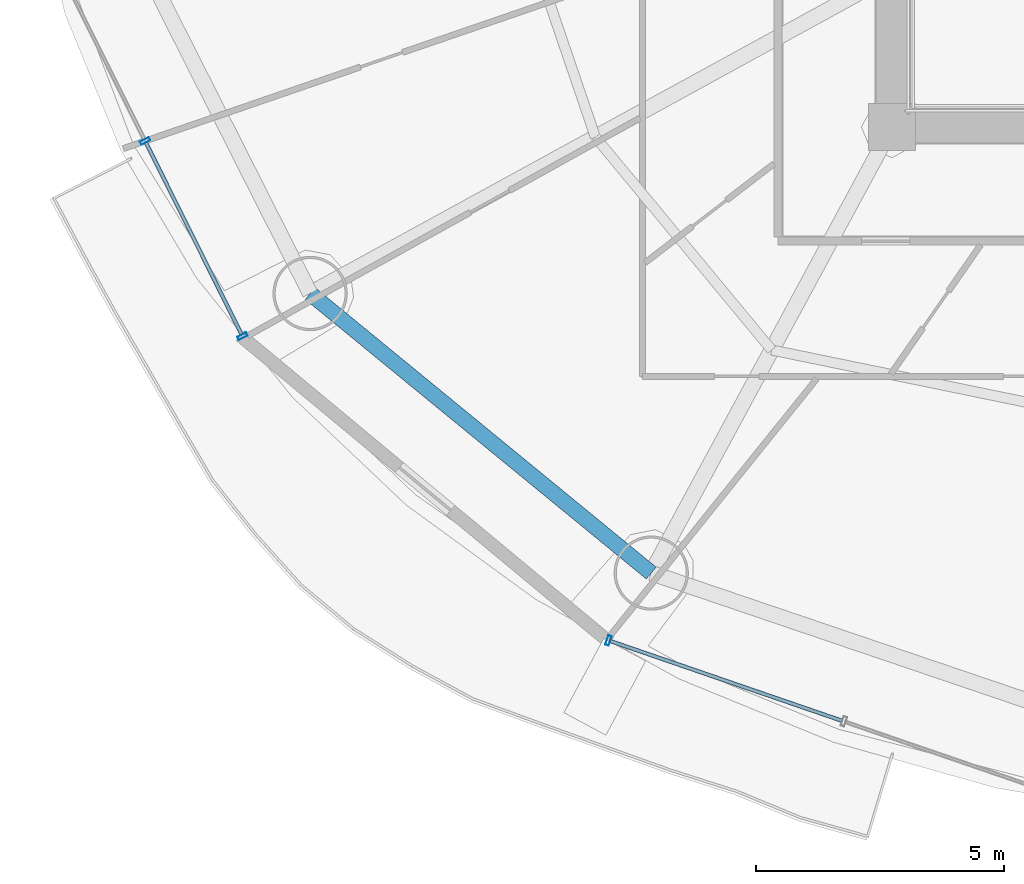
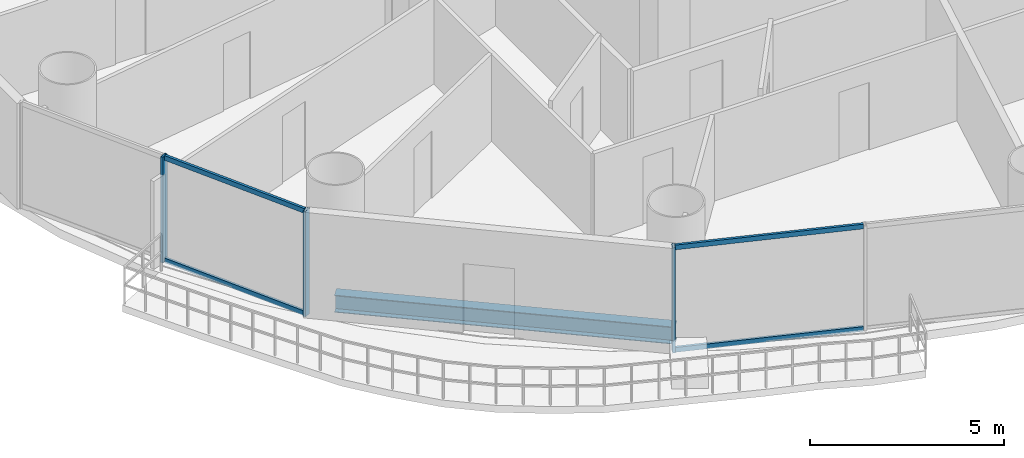
# One storey, part 2 of 29: 7 members, 1 beam, 2 elements without a shape of their own.
"""IFC4 building model written with IfcOpenShell, lengths in metres."""

from ifc_helpers import new_model, si_unit, direction, frame, origin, origin_2d, place, context, subcontext, project, spatial, hollow_rectangle, i_section, extrude, source, transform, mapped, material, material_profile, profile_set, type_object, element, aggregate, save


model = new_model("IFC4")

# Units and contexts
model_context = context("Model", 3, precision=1e-05, world=origin(), true_north=direction((-0.2419218956, 0.970295726276)))
body_context = subcontext(model_context, "Body", "Model", "MODEL_VIEW")
ifc_project = project(units=[si_unit("LENGTHUNIT", "METRE"), si_unit("AREAUNIT", "SQUARE_METRE"), si_unit("VOLUMEUNIT", "CUBIC_METRE"), si_unit("PLANEANGLEUNIT", "RADIAN"), si_unit("MASSUNIT", "GRAM", prefix="KILO")], contexts=[model_context])

# Site, building, storey
site_placement = place(None, origin())
site = spatial("IfcSite", under=ifc_project, at=site_placement, CompositionType="ELEMENT")
building_placement = place(site_placement, origin())
building = spatial("IfcBuilding", under=site, at=building_placement, Name="Cobrevalo Terracotta Tower", CompositionType="ELEMENT")
storey_placement = place(building_placement, frame((0.0, 0.0, 94.199951171875)))
storey = spatial("IfcBuildingStorey", under=building, at=storey_placement, Name="L24", CompositionType="ELEMENT", Elevation=94.199951171875)

# Beam
ifc_material_1 = material(Name="Steel S355", Category="steel")
ifc_material_profile_1 = material_profile(ifc_material_1, i_section(OverallWidth=0.31201171875, OverallDepth=0.54296875, WebThickness=0.0126953125, FlangeThickness=0.020263671875, at=origin_2d()), Name="W 530x150")
ifc_profile_set_1 = profile_set([ifc_material_profile_1], Name="Steel S355")
beam_type = type_object("IfcBeamType", Name="Structural Spandrel W 530x150 (Steel S355)", PredefinedType="SPANDREL", material=ifc_profile_set_1)
beam_placement = place(storey_placement, frame((17.2548828125, 15.4384765625, -0.54638671875), z_axis=(0.773400923541, -0.633917196064, 0.0), x_axis=(0.633917196064, 0.773400923541, 0.0)))
element("IfcBeam", 1, at=beam_placement, inside=storey, type_object=beam_type, Name="L24 perimeter ring spandrel 10", PredefinedType="SPANDREL", context=body_context, shape_type="SweptSolid", body=[
    extrude(i_section(OverallWidth=0.31201171875, OverallDepth=0.54296875, WebThickness=0.0126953125, FlangeThickness=0.020263671875, at=origin_2d()), origin(), (0.0, 0.0, 1.0), 8.900390625),
])

# Curtain wall, members
ifc_material_2 = material(Name="Anodized aluminium", Category="aluminium")
curtain_wall_type = type_object("IfcCurtainWallType", Name="Lower-tower unitised acoustic low-E curtain wall CW-U1", PredefinedType="NOTDEFINED", material=ifc_material_2)
curtain_wall_1_placement = place(storey_placement, origin())
curtain_wall_1 = element("IfcCurtainWall", 2, at=curtain_wall_1_placement, inside=storey, type_object=curtain_wall_type, Name="L24 curtain wall CW-L24-S09", PredefinedType="NOTDEFINED")
ifc_material_profile_2 = material_profile(ifc_material_2, hollow_rectangle(XDim=0.074951171875, YDim=0.199951171875, WallThickness=0.0048828125, at=origin_2d()), Name="CWM 75x200")
ifc_profile_set_2 = profile_set([ifc_material_profile_2], Name="Anodized aluminium")
member_type_1 = type_object("IfcMemberType", Name="Lower/mid tower unitised mullion 75x200", PredefinedType="MULLION", material=ifc_profile_set_2)
shared_shape_1 = source(origin(), body_context, "Body", "SweptSolid", [
    extrude(hollow_rectangle(XDim=0.074951171875, YDim=0.199951171875, WallThickness=0.0048828125, at=origin_2d()), origin(), (0.0, 0.0, 1.0), 3.324951171875),
])
member_1_placement = place(storey_placement, frame((13.924072265625, 18.516357421875, 0.0), z_axis=(0.0, 0.0, 1.0), x_axis=(0.446260290227, -0.894903208937, 0.0)))
member_1 = element("IfcMember", 3, at=member_1_placement, type_object=member_type_1, Name="CW-L24-S09 vertical mullion 02", PredefinedType="MULLION", context=body_context, shape_type="MappedRepresentation", body=[
    mapped(shared_shape_1, transform((0.0, 0.0, 0.0), scale=1.0)),
])
member_2_placement = place(storey_placement, frame((15.889892578125, 14.574462890625, 0.0), z_axis=(0.0, 0.0, 1.0), x_axis=(0.446260290227, -0.894903208937, 0.0)))
member_2 = element("IfcMember", 4, at=member_2_placement, type_object=member_type_1, Name="CW-L24-S09 vertical mullion 03", PredefinedType="MULLION", context=body_context, shape_type="MappedRepresentation", body=[
    mapped(shared_shape_1, transform((0.0, 0.0, 0.0), scale=1.0)),
])

curtain_wall_2_placement = place(storey_placement, origin())
curtain_wall_2 = element("IfcCurtainWall", 5, at=curtain_wall_2_placement, inside=storey, type_object=curtain_wall_type, Name="L24 curtain wall CW-L24-S11", PredefinedType="NOTDEFINED")
member_3_placement = place(storey_placement, frame((23.2763671875, 8.4365234375, 0.0), z_axis=(0.0, 0.0, 1.0), x_axis=(0.94559809868, -0.325337110968, 0.0)))
member_3 = element("IfcMember", 6, at=member_3_placement, type_object=member_type_1, Name="CW-L24-S11 vertical mullion 01", PredefinedType="MULLION", context=body_context, shape_type="MappedRepresentation", body=[
    mapped(shared_shape_1, transform((0.0, 0.0, 0.0), scale=1.0)),
])
ifc_material_profile_3 = material_profile(ifc_material_2, hollow_rectangle(XDim=0.074951171875, YDim=0.14990234375, WallThickness=0.00439453125, at=origin_2d()), Name="CWT 75x150")
ifc_profile_set_3 = profile_set([ifc_material_profile_3], Name="Anodized aluminium")
member_type_2 = type_object("IfcMemberType", Name="Tower unitised aluminium transom 75x150", PredefinedType="USERDEFINED", material=ifc_profile_set_3)
shared_shape_2 = source(origin(), body_context, "Body", "SweptSolid", [
    extrude(hollow_rectangle(XDim=0.074951171875, YDim=0.14990234375, WallThickness=0.00439453125, at=origin_2d()), origin(), (0.0, 0.0, 1.0), 4.944580078125),
])
member_4_placement = place(storey_placement, frame((23.314208984375, 8.42333984375, 0.050048828125), z_axis=(0.945597859971, -0.32533780478, 0.0), x_axis=(0.32533780478, 0.945597859971, 0.0)))
member_4 = element("IfcMember", 7, at=member_4_placement, type_object=member_type_2, Name="CW-L24-S11 transom B01-T1", ObjectType="TRANSOM", PredefinedType="USERDEFINED", context=body_context, shape_type="MappedRepresentation", body=[
    mapped(shared_shape_2, transform((0.0, 0.0, 0.0), scale=1.0)),
])
member_5_placement = place(storey_placement, frame((23.314208984375, 8.42333984375, 3.275146484375), z_axis=(0.945597859971, -0.32533780478, 0.0), x_axis=(0.32533780478, 0.945597859971, 0.0)))
member_5 = element("IfcMember", 8, at=member_5_placement, type_object=member_type_2, Name="CW-L24-S11 transom B01-T2", ObjectType="TRANSOM", PredefinedType="USERDEFINED", context=body_context, shape_type="MappedRepresentation", body=[
    mapped(shared_shape_2, transform((0.0, 0.0, 0.0), scale=1.0)),
])
aggregate(curtain_wall_2, [member_3, member_4, member_5])

# Member
shared_shape_3 = source(origin(), body_context, "Body", "SweptSolid", [
    extrude(hollow_rectangle(XDim=0.074951171875, YDim=0.14990234375, WallThickness=0.00439453125, at=origin_2d()), origin(), (0.0, 0.0, 1.0), 4.324951171875),
])
member_6_placement = place(storey_placement, frame((13.942138671875, 18.480712890625, 0.050048828125), z_axis=(0.446219838389, -0.894923379864, 0.0), x_axis=(0.894923379864, 0.446219838389, 0.0)))
member_6 = element("IfcMember", 9, at=member_6_placement, type_object=member_type_2, Name="CW-L24-S09 transom B02-T1", ObjectType="TRANSOM", PredefinedType="USERDEFINED", context=body_context, shape_type="MappedRepresentation", body=[
    mapped(shared_shape_3, transform((0.0, 0.0, 0.0), scale=1.0)),
])

member_7_placement = place(storey_placement, frame((13.942138671875, 18.480712890625, 3.275146484375), z_axis=(0.446219838389, -0.894923379864, 0.0), x_axis=(0.894923379864, 0.446219838389, 0.0)))
member_7 = element("IfcMember", 10, at=member_7_placement, type_object=member_type_2, Name="CW-L24-S09 transom B02-T2", ObjectType="TRANSOM", PredefinedType="USERDEFINED", context=body_context, shape_type="MappedRepresentation", body=[
    mapped(shared_shape_3, transform((0.0, 0.0, 0.0), scale=1.0)),
])

aggregate(curtain_wall_1, [member_1, member_2, member_6, member_7])

save(model, "model.ifc")
